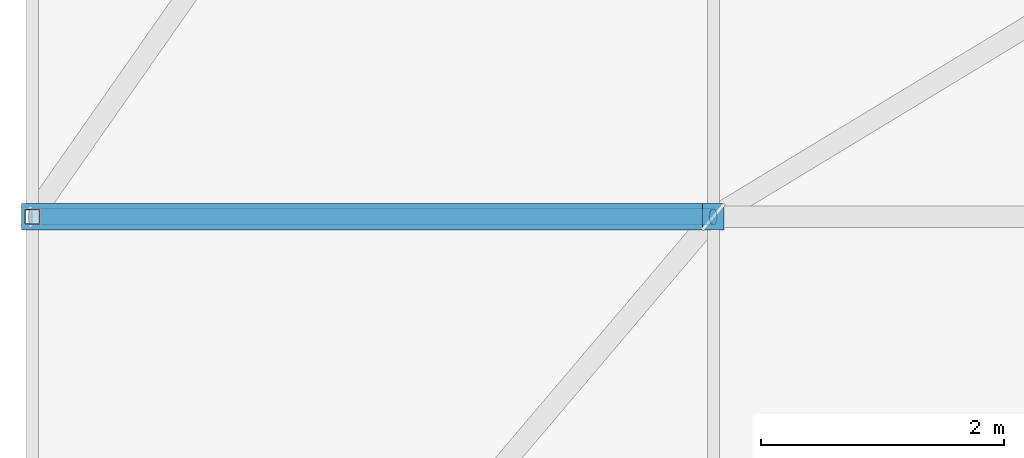
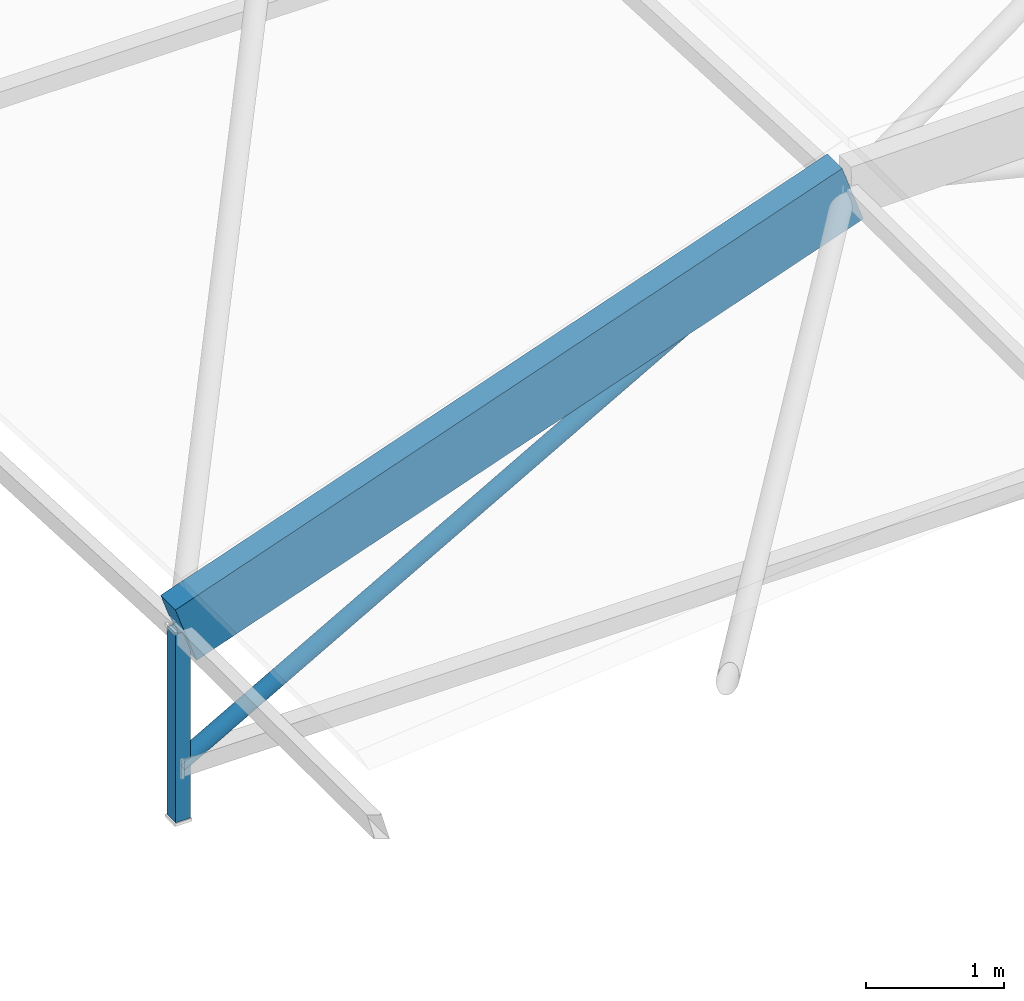
# One storey, part 32 of 134: 3 members.
"""IFC4 building model written with IfcOpenShell, lengths in metres."""

import ifcopenshell
import ifcopenshell.guid

model = None  # the IFC model being written
_history = None  # IfcOwnerHistory: only IFC2X3 demands one
_inside = {}  # id of a spatial element -> (the spatial element, [elements in it])
_under = {}  # id of a project, library or spatial element -> (it, [spatial elements below it])
_declared = {}  # id of a project -> (the project, [libraries it declares])
_typed = {}  # id of a type object -> (the type object, [elements of that type])
_made_of = {}  # id of a material, layer set ... -> (it, [elements and type objects made of it])


def new_model(schema):
    """Start an empty IFC model of exactly this schema.

    Asked for "IFC4X3", IfcOpenShell would pick the latest addendum, in which some entities
    have other attributes; the version numbers below select the first issue.
    IFC2X3 requires an IfcOwnerHistory on every rooted entity: one is made here for all.
    """
    global model, _history
    if schema == "IFC4X3":
        model = ifcopenshell.file(schema_version=(4, 3, 0, 0))
    else:
        model = ifcopenshell.file(schema=schema)
    _inside.clear()
    _under.clear()
    _declared.clear()
    _typed.clear()
    _made_of.clear()
    _history = None
    if model.schema == "IFC2X3":
        org = make("IfcOrganization", Name="unknown")
        user = make(
            "IfcPersonAndOrganization",
            ThePerson=make("IfcPerson", FamilyName="unknown"),
            TheOrganization=org,
        )
        app = make(
            "IfcApplication",
            ApplicationDeveloper=org,
            Version="unknown",
            ApplicationFullName="unknown",
            ApplicationIdentifier="unknown",
        )
        _history = make(
            "IfcOwnerHistory",
            OwningUser=user,
            OwningApplication=app,
            ChangeAction="ADDED",
            CreationDate=0,
        )
    return model


def make(cls, **values):
    """One entity of the class cls with the attributes given. An attribute that is None is left unset."""
    return model.create_entity(
        cls, **{name: value for name, value in values.items() if value is not None}
    )


def rooted(cls, **values):
    """An entity with a GlobalId (a new one), such as an element, a storey or a relation."""
    return make(cls, GlobalId=ifcopenshell.guid.new(), OwnerHistory=_history, **values)


def si_unit(unit_type, name, prefix=None):
    """IfcSIUnit, for example si_unit("LENGTHUNIT", "METRE", prefix="MILLI")."""
    return make("IfcSIUnit", UnitType=unit_type, Prefix=prefix, Name=name)


def assignment(units):
    """IfcUnitAssignment: the units of a project."""
    return None if units is None else make("IfcUnitAssignment", Units=units)


def point(xyz):
    """IfcCartesianPoint."""
    return None if xyz is None else make("IfcCartesianPoint", Coordinates=xyz)


def direction(xyz):
    """IfcDirection."""
    return None if xyz is None else make("IfcDirection", DirectionRatios=xyz)


def frame(location, z_axis=None, x_axis=None):
    """IfcAxis2Placement3D, a coordinate frame: its origin and axes. An axis left out is left unset."""
    return make(
        "IfcAxis2Placement3D",
        Location=point(location),
        Axis=direction(z_axis),
        RefDirection=direction(x_axis),
    )


def frame_2d(location, x_axis=None):
    """IfcAxis2Placement2D, a coordinate frame in the plane: its origin and x axis."""
    return make(
        "IfcAxis2Placement2D", Location=point(location), RefDirection=direction(x_axis)
    )


def origin():
    """The frame at (0, 0, 0) with its axes left unset."""
    return frame((0.0, 0.0, 0.0))


def origin_2d():
    """The frame at (0, 0) in the plane with its x axis left unset."""
    return frame_2d((0.0, 0.0))


def place(relative_to, where):
    """IfcLocalPlacement: puts the frame where relative to a parent placement (None: the world)."""
    return make(
        "IfcLocalPlacement", PlacementRelTo=relative_to, RelativePlacement=where
    )


def context(
    kind, dimensions, precision=None, world=None, true_north=None, identifier=None
):
    """IfcGeometricRepresentationContext, for example the 3D "Model" context."""
    return make(
        "IfcGeometricRepresentationContext",
        ContextIdentifier=identifier,
        ContextType=kind,
        CoordinateSpaceDimension=dimensions,
        Precision=precision,
        WorldCoordinateSystem=world,
        TrueNorth=true_north,
    )


def subcontext(parent, identifier, kind, view, scale=None):
    """IfcGeometricRepresentationSubContext, for example "Body" below "Model"."""
    return make(
        "IfcGeometricRepresentationSubContext",
        ContextIdentifier=identifier,
        ContextType=kind,
        ParentContext=parent,
        TargetScale=scale,
        TargetView=view,
    )


def project(units=None, contexts=None):
    """IfcProject with its units and contexts."""
    return rooted(
        "IfcProject",
        Name="project",
        RepresentationContexts=contexts,
        UnitsInContext=assignment(units),
    )


def spatial(cls, under=None, at=None, **own):
    """A site, building, storey or space (cls), placed at a placement, below another one or the project."""
    s = rooted(cls, ObjectPlacement=at, **own)
    if under is not None:
        _under.setdefault(under.id(), (under, []))[1].append(s)
    return s


def profile(cls, at=None, kind="AREA", **sizes):
    """A parametric profile (cls). Its sizes go by their IFC names, for example OverallWidth=200.0."""
    return make(cls, ProfileType=kind, Position=at, **sizes)


def rectangle(**sizes):
    """IfcRectangleProfileDef."""
    return profile("IfcRectangleProfileDef", **sizes)


def hollow_rectangle(**sizes):
    """IfcRectangleHollowProfileDef."""
    return profile("IfcRectangleHollowProfileDef", **sizes)


def hollow_circle(**sizes):
    """IfcCircleHollowProfileDef."""
    return profile("IfcCircleHollowProfileDef", **sizes)


def extrude(swept, where, along, depth):
    """IfcExtrudedAreaSolid: the profile swept, set in the frame where, extruded along a direction by depth."""
    return make(
        "IfcExtrudedAreaSolid",
        SweptArea=swept,
        Position=where,
        ExtrudedDirection=direction(along),
        Depth=depth,
    )


def shape(context_of_items, identifier, shape_type, items):
    """IfcShapeRepresentation: the items that make up one representation, for example the "Body"."""
    return make(
        "IfcShapeRepresentation",
        ContextOfItems=context_of_items,
        RepresentationIdentifier=identifier,
        RepresentationType=shape_type,
        Items=items,
    )


def material(Name=None, Category=None):
    """IfcMaterial."""
    return make("IfcMaterial", Name=Name, Category=Category)


def material_profile(
    of_material, cross_section, Name=None, Category=None, Priority=None
):
    """IfcMaterialProfile: a cross section and its material."""
    return make(
        "IfcMaterialProfile",
        Name=Name,
        Material=of_material,
        Profile=cross_section,
        Priority=Priority,
        Category=Category,
    )


def profile_set(profiles, Name=None, composite=None):
    """IfcMaterialProfileSet."""
    return make(
        "IfcMaterialProfileSet",
        Name=Name,
        MaterialProfiles=profiles,
        CompositeProfile=composite,
    )


def made_of(thing, what):
    """Note that an element or type object is made of a material, layer set ...; save() writes the relation."""
    if what is not None:
        _made_of.setdefault(what.id(), (what, []))[1].append(thing)
    return thing


def type_object(cls, material=None, **own):
    """A type object (cls), such as IfcWallType, which elements share."""
    return made_of(rooted(cls, **own), material)


def element(
    cls,
    number,
    at=None,
    inside=None,
    cuts=None,
    type_object=None,
    material=None,
    context=None,
    identifier="Body",
    shape_type=None,
    held_by="IfcProductDefinitionShape",
    body=None,
    shapes=None,
    **own,
):
    """One element of the class cls, such as IfcWall. Its Tag is "e" and its number.

    at: its placement. inside: the storey or other place that contains it. cuts: it is an
    opening in that element (IfcRelVoidsElement). A single representation is given by context,
    identifier, shape_type and body (its items); several are given by shapes. held_by: the class
    of the entity that holds the representations. save() writes the other relations.
    """
    e = rooted(cls, Tag="e%d" % number, ObjectPlacement=at, **own)
    if body is not None:
        shapes = [shape(context, identifier, shape_type, body)]
    if shapes is not None:
        e.Representation = make(held_by, Representations=shapes)
    if inside is not None:
        _inside.setdefault(inside.id(), (inside, []))[1].append(e)
    if cuts is not None:
        rooted(
            "IfcRelVoidsElement", RelatingBuildingElement=cuts, RelatedOpeningElement=e
        )
    if type_object is not None:
        _typed.setdefault(type_object.id(), (type_object, []))[1].append(e)
    return made_of(e, material)


def aggregate(whole, parts):
    """IfcRelAggregates: a whole, such as a stair, and the parts it consists of."""
    return rooted("IfcRelAggregates", RelatingObject=whole, RelatedObjects=parts)


def save(model, path):
    """Write the relations noted so far, then the file.

    IfcRelAggregates (storeys below a building ...), IfcRelContainedInSpatialStructure (elements
    in a storey), IfcRelDefinesByType, IfcRelAssociatesMaterial and IfcRelDeclares: one each for
    every whole, place, type object, material and project.
    """
    for whole, parts in _under.values():
        aggregate(whole, parts)
    for where, things in _inside.values():
        rooted(
            "IfcRelContainedInSpatialStructure",
            RelatedElements=things,
            RelatingStructure=where,
        )
    for kind, things in _typed.values():
        rooted("IfcRelDefinesByType", RelatedObjects=things, RelatingType=kind)
    for what, things in _made_of.values():
        rooted("IfcRelAssociatesMaterial", RelatedObjects=things, RelatingMaterial=what)
    for by, libraries in _declared.values():
        rooted("IfcRelDeclares", RelatingContext=by, RelatedDefinitions=libraries)
    model.write(path)


model = new_model("IFC4")

# Units and contexts
model_context = context("Model", 3, precision=1e-05, world=origin(), true_north=direction((0.0, 1.0)))
body_context = subcontext(model_context, "Body", "Model", "MODEL_VIEW")
ifc_project = project(units=[si_unit("LENGTHUNIT", "METRE"), si_unit("AREAUNIT", "SQUARE_METRE"), si_unit("VOLUMEUNIT", "CUBIC_METRE"), si_unit("PLANEANGLEUNIT", "RADIAN"), si_unit("MASSUNIT", "GRAM", prefix="KILO")], contexts=[model_context])

# Site, building, storey
site_placement = place(None, origin())
site = spatial("IfcSite", under=ifc_project, at=site_placement, CompositionType="ELEMENT")
building_placement = place(site_placement, origin())
building = spatial("IfcBuilding", under=site, at=building_placement, Name="Karori Crest Natural Sciences Institute", CompositionType="ELEMENT")
storey_placement = place(building_placement, frame((0.0, 0.0, 21.699951171875)))
storey = spatial("IfcBuildingStorey", under=building, at=storey_placement, Name="L05", CompositionType="ELEMENT", Elevation=21.699951171875)

# Members
ifc_material_1 = material(Name="Glulam GL12", Category="wood")
ifc_material_profile_1 = material_profile(ifc_material_1, rectangle(XDim=0.215087890625, YDim=0.5400390625, at=origin_2d()), Name="GL215x540")
ifc_profile_set_1 = profile_set([ifc_material_profile_1], Name="Glulam GL12")
member_type_1 = type_object("IfcMemberType", Name="MT-16", PredefinedType="USERDEFINED", material=ifc_profile_set_1)
member_1_placement = place(storey_placement, frame((1.800048828125, 47.0, 1.32177734375), z_axis=(0.943896202388, 0.0, 0.330242273365), x_axis=(0.0, 1.0, 0.0)))
element("IfcMember", 1, at=member_1_placement, inside=storey, type_object=member_type_1, Name="Member M-0402", ObjectType="ARCH_SEGMENT", PredefinedType="USERDEFINED", context=body_context, shape_type="SweptSolid", body=[
    extrude(rectangle(XDim=0.215087890625, YDim=0.5400390625, at=origin_2d()), origin(), (0.0, 0.0, 1.0), 5.9326171875),
])
ifc_material_2 = material(Name="Hollow structural steel AS/NZS 1163 Grade C350", Category="steel")
ifc_material_profile_2 = material_profile(ifc_material_2, hollow_circle(Radius=0.06982421875, WallThickness=0.00634765625, at=origin_2d()), Name="CHS139.7x6.4")
ifc_profile_set_2 = profile_set([ifc_material_profile_2], Name="Hollow structural steel AS/NZS 1163 Grade C350")
member_type_2 = type_object("IfcMemberType", Name="MT-18-IL", PredefinedType="STRUT", material=ifc_profile_set_2)
member_2_placement = place(storey_placement, frame((1.800048828125, 47.0, 0.1201171875), z_axis=(0.870845542454, 0.0, 0.491556752764), x_axis=(0.0, 1.0, 0.0)))
element("IfcMember", 2, at=member_2_placement, inside=storey, type_object=member_type_2, Name="Member M-0403", PredefinedType="STRUT", context=body_context, shape_type="SweptSolid", body=[
    extrude(hollow_circle(Radius=0.06982421875, WallThickness=0.00634765625, at=origin_2d()), origin(), (0.0, 0.0, 1.0), 6.430419921875),
])
ifc_material_profile_3 = material_profile(ifc_material_2, hollow_rectangle(XDim=0.125, YDim=0.125, WallThickness=0.006103515625, at=origin_2d()), Name="SHS125x125x6")
ifc_profile_set_3 = profile_set([ifc_material_profile_3], Name="Hollow structural steel AS/NZS 1163 Grade C350")
member_type_3 = type_object("IfcMemberType", Name="MT-20", PredefinedType="STRUT", material=ifc_profile_set_3)
member_3_placement = place(storey_placement, frame((1.800048828125, 47.0, -0.349853515625), z_axis=(0.0, 0.0, 1.0), x_axis=(1.0, 0.0, 0.0)))
element("IfcMember", 3, at=member_3_placement, inside=storey, type_object=member_type_3, Name="Member M-0399", PredefinedType="STRUT", context=body_context, shape_type="SweptSolid", body=[
    extrude(hollow_rectangle(XDim=0.125, YDim=0.125, WallThickness=0.006103515625, at=origin_2d()), origin(), (0.0, 0.0, 1.0), 1.671630859375),
])

save(model, "model.ifc")
